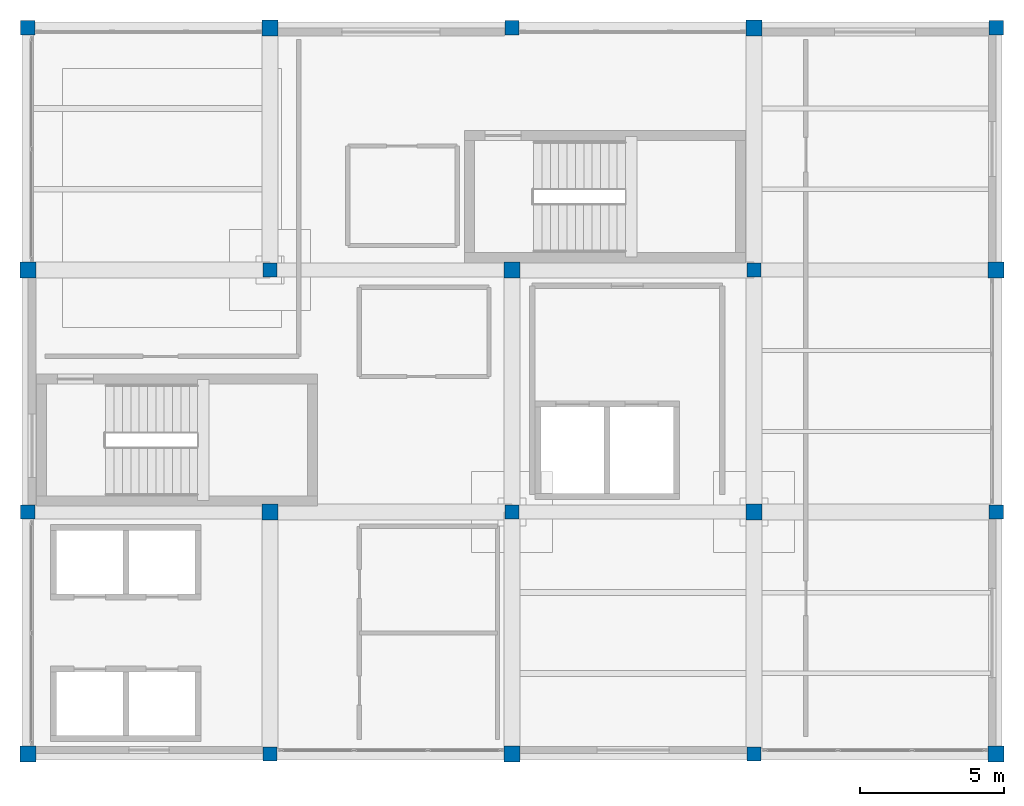
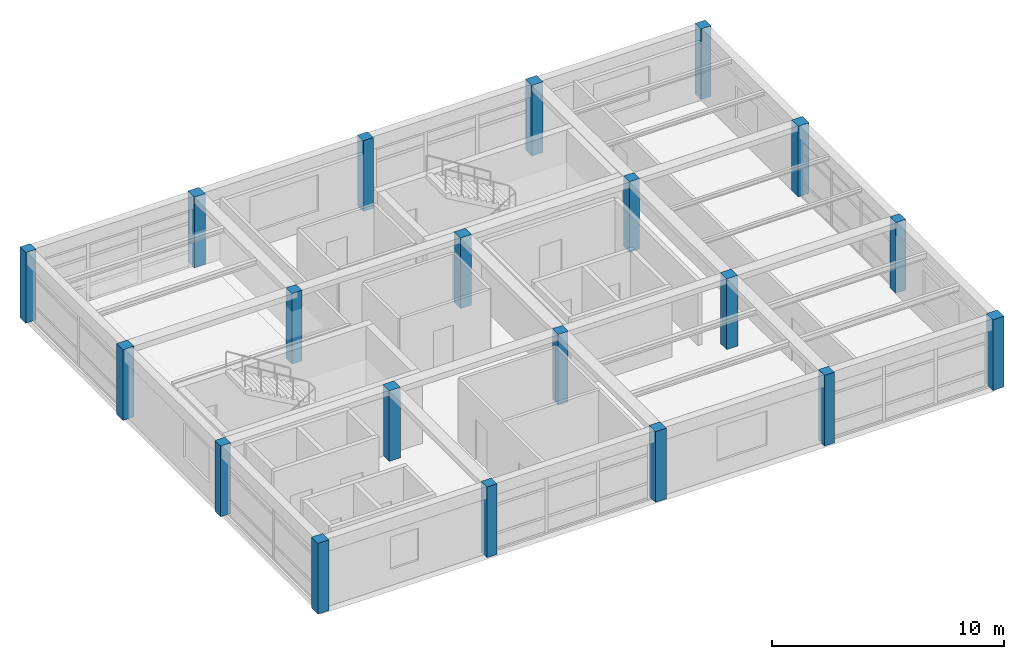
# One storey, part 1 of 20: 20 columns.
"""IFC4 building model written with IfcOpenShell, lengths in metres."""

from ifc_helpers import new_model, si_unit, direction, frame, origin, origin_2d, place, context, subcontext, project, spatial, rectangle, extrude, material, material_profile, profile_set, type_object, element, save


model = new_model("IFC4")

# Units and contexts
model_context = context("Model", 3, precision=1e-05, world=origin(), true_north=direction((0.0, 1.0)))
body_context = subcontext(model_context, "Body", "Model", "MODEL_VIEW")
ifc_project = project(units=[si_unit("LENGTHUNIT", "METRE"), si_unit("AREAUNIT", "SQUARE_METRE"), si_unit("VOLUMEUNIT", "CUBIC_METRE"), si_unit("PLANEANGLEUNIT", "RADIAN"), si_unit("MASSUNIT", "GRAM", prefix="KILO")], contexts=[model_context])

# Site, building, storey
site_placement = place(None, origin())
site = spatial("IfcSite", under=ifc_project, at=site_placement, CompositionType="ELEMENT")
building_placement = place(site_placement, origin())
building = spatial("IfcBuilding", under=site, at=building_placement, Name="Almacenes y Pasaje Nevantli", CompositionType="ELEMENT")
storey_placement = place(building_placement, frame((0.0, 0.0, 62.699951171875)))
storey = spatial("IfcBuildingStorey", under=building, at=storey_placement, Name="L15", CompositionType="ELEMENT", Elevation=62.699951171875)

# Columns
ifc_material_1 = material(Name="Concrete C45/55", Category="concrete")
ifc_material_profile_1 = material_profile(ifc_material_1, rectangle(XDim=0.5, YDim=0.5, at=origin_2d()), Name="RC-COL-500x500")
ifc_profile_set_1 = profile_set([ifc_material_profile_1], Name="Concrete C45/55")
column_type_1 = type_object("IfcColumnType", Name="COL-RC-500", PredefinedType="COLUMN", material=ifc_profile_set_1)
for number, where, z_axis, x_axis, name in (
    (1, (117.60009765625, 75.60009765625, 0.0), (0.0, 0.0, 1.0), (1.0, 0.0, 0.0), "L15 Reinforced Concrete Column CL-10 #2352"),
    (2, (117.60009765625, 92.39990234375, 0.0), (0.0, 0.0, 1.0), (1.0, 0.0, 0.0), "L15 Reinforced Concrete Column CL-10 #2354"),
    (3, (126.0, 67.199951171875, 0.0), (0.0, 0.0, 1.0), (1.0, 0.0, 0.0), "L15 Reinforced Concrete Column CL-10 #2355"),
    (4, (126.0, 84.0, 0.0), (0.0, 0.0, 1.0), (1.0, 0.0, 0.0), "L15 Reinforced Concrete Column CL-10 #2357"),
    (5, (134.39990234375, 75.60009765625, 0.0), (0.0, 0.0, 1.0), (1.0, 0.0, 0.0), "L15 Reinforced Concrete Column CL-10 #2360"),
    (6, (134.39990234375, 92.39990234375, 0.0), (0.0, 0.0, 1.0), (1.0, 0.0, 0.0), "L15 Reinforced Concrete Column CL-10 #2362"),
    (7, (142.800048828125, 67.199951171875, 0.0), (0.0, 0.0, 1.0), (1.0, 0.0, 0.0), "L15 Reinforced Concrete Column CL-10 #2363"),
    (8, (142.800048828125, 84.0, 0.0), (0.0, 0.0, 1.0), (1.0, 0.0, 0.0), "L15 Reinforced Concrete Column CL-10 #2365"),
    (9, (151.199951171875, 75.60009765625, 0.0), (0.0, 0.0, 1.0), (1.0, 0.0, 0.0), "L15 Reinforced Concrete Column CL-10 #2368"),
    (10, (151.199951171875, 92.39990234375, 0.0), (0.0, 0.0, 1.0), (1.0, 0.0, 0.0), "L15 Reinforced Concrete Column CL-10 #2370"),
):
    element("IfcColumn", number, at=place(storey_placement, frame(where, z_axis=z_axis, x_axis=x_axis)), inside=storey, type_object=column_type_1, Name=name, PredefinedType="COLUMN", context=body_context, shape_type="SweptSolid", body=[
        extrude(rectangle(XDim=0.5, YDim=0.5, at=origin_2d()), origin(), (0.0, 0.0, 1.0), 3.719970703125),
    ])
ifc_material_2 = material(Name="Concrete C45/55", Category="concrete")
ifc_material_profile_2 = material_profile(ifc_material_2, rectangle(XDim=0.550048828125, YDim=0.550048828125, at=origin_2d()), Name="RC-COL-550x550")
ifc_profile_set_2 = profile_set([ifc_material_profile_2], Name="Concrete C45/55")
column_type_2 = type_object("IfcColumnType", Name="COL-RC-550", PredefinedType="COLUMN", material=ifc_profile_set_2)
for number, where, z_axis, x_axis, name in (
    (11, (117.60009765625, 67.199951171875, 0.0), (0.0, 0.0, 1.0), (1.0, 0.0, 0.0), "L15 Reinforced Concrete Column CL-09 #2351"),
    (12, (117.60009765625, 84.0, 0.0), (0.0, 0.0, 1.0), (1.0, 0.0, 0.0), "L15 Reinforced Concrete Column CL-09 #2353"),
    (13, (126.0, 75.60009765625, 0.0), (0.0, 0.0, 1.0), (1.0, 0.0, 0.0), "L15 Reinforced Concrete Column CL-09 #2356"),
    (14, (126.0, 92.39990234375, 0.0), (0.0, 0.0, 1.0), (1.0, 0.0, 0.0), "L15 Reinforced Concrete Column CL-09 #2358"),
    (15, (134.39990234375, 67.199951171875, 0.0), (0.0, 0.0, 1.0), (1.0, 0.0, 0.0), "L15 Reinforced Concrete Column CL-09 #2359"),
    (16, (134.39990234375, 84.0, 0.0), (0.0, 0.0, 1.0), (1.0, 0.0, 0.0), "L15 Reinforced Concrete Column CL-09 #2361"),
    (17, (142.800048828125, 75.60009765625, 0.0), (0.0, 0.0, 1.0), (1.0, 0.0, 0.0), "L15 Reinforced Concrete Column CL-09 #2364"),
    (18, (142.800048828125, 92.39990234375, 0.0), (0.0, 0.0, 1.0), (1.0, 0.0, 0.0), "L15 Reinforced Concrete Column CL-09 #2366"),
    (19, (151.199951171875, 67.199951171875, 0.0), (0.0, 0.0, 1.0), (1.0, 0.0, 0.0), "L15 Reinforced Concrete Column CL-09 #2367"),
    (20, (151.199951171875, 84.0, 0.0), (0.0, 0.0, 1.0), (1.0, 0.0, 0.0), "L15 Reinforced Concrete Column CL-09 #2369"),
):
    element("IfcColumn", number, at=place(storey_placement, frame(where, z_axis=z_axis, x_axis=x_axis)), inside=storey, type_object=column_type_2, Name=name, PredefinedType="COLUMN", context=body_context, shape_type="SweptSolid", body=[
        extrude(rectangle(XDim=0.550048828125, YDim=0.550048828125, at=origin_2d()), origin(), (0.0, 0.0, 1.0), 3.719970703125),
    ])

save(model, "model.ifc")
